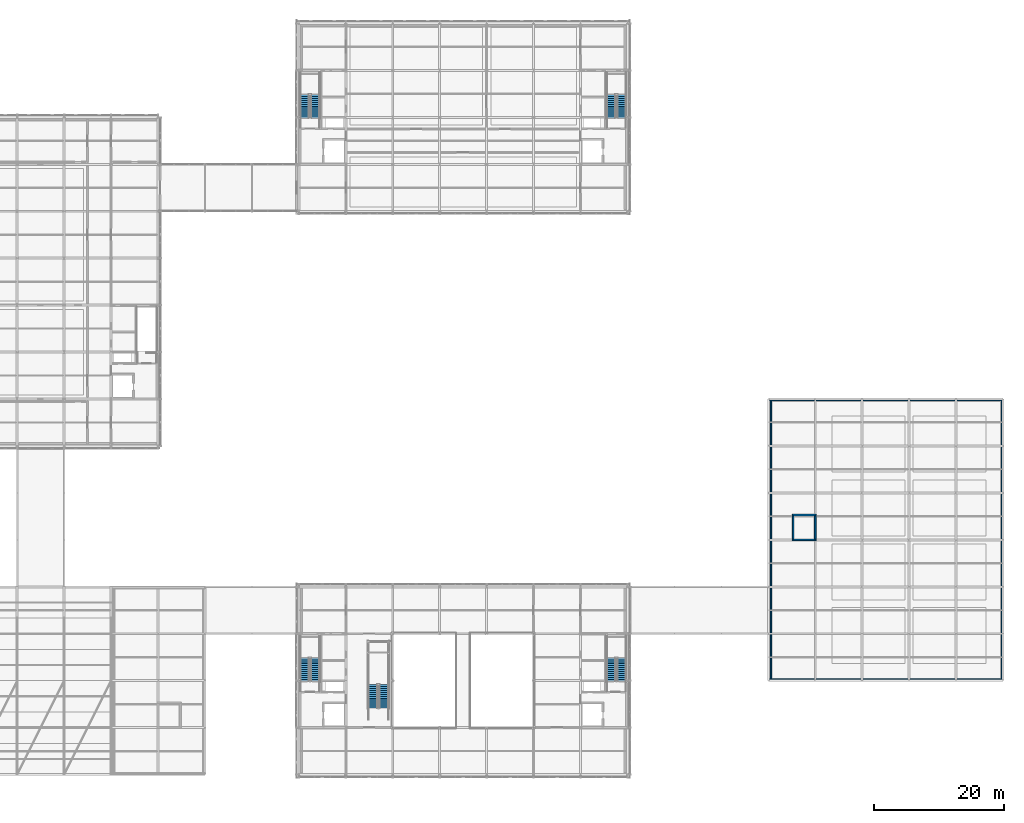
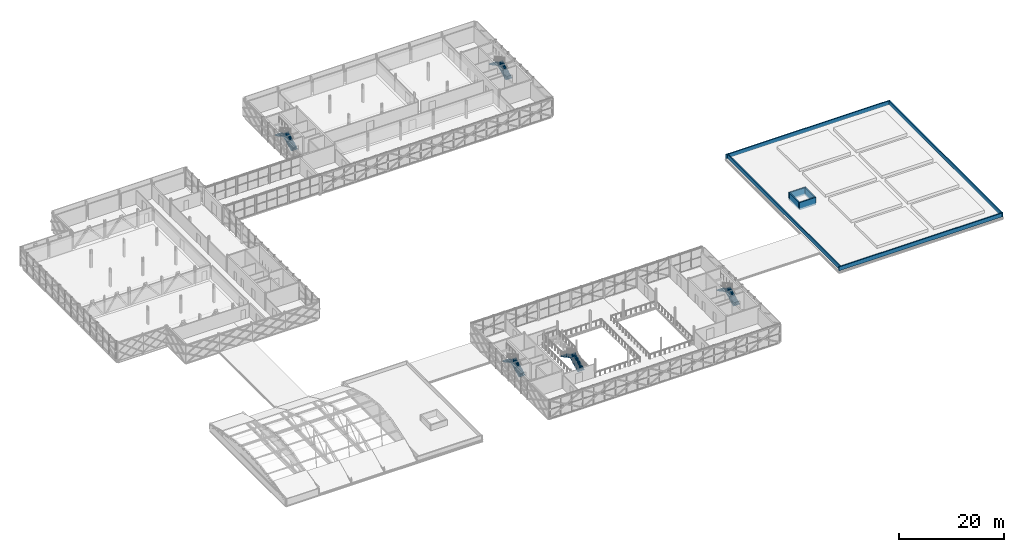
# One storey, part 91 of 103: 10 stair flights, 8 walls, 5 elements without a shape of their own.
"""IFC4 building model written with IfcOpenShell, lengths in metres."""

from ifc_helpers import new_model, si_unit, direction, frame, frame_2d, origin, place, context, subcontext, project, spatial, polyline, rectangle, outline, extrude, material, layer, layer_set, type_object, element, aggregate, save


model = new_model("IFC4")

# Units and contexts
model_context = context("Model", 3, precision=1e-05, world=origin(), true_north=direction((0.0, 1.0)))
body_context = subcontext(model_context, "Body", "Model", "MODEL_VIEW")
ifc_project = project(units=[si_unit("LENGTHUNIT", "METRE"), si_unit("AREAUNIT", "SQUARE_METRE"), si_unit("VOLUMEUNIT", "CUBIC_METRE"), si_unit("PLANEANGLEUNIT", "RADIAN"), si_unit("MASSUNIT", "GRAM", prefix="KILO")], contexts=[model_context])

# Site, building, storey
site_placement = place(None, origin())
site = spatial("IfcSite", under=ifc_project, at=site_placement, CompositionType="ELEMENT")
building_placement = place(site_placement, origin())
building = spatial("IfcBuilding", under=site, at=building_placement, Name="Zlatovets Crest Museum", CompositionType="ELEMENT")
storey_placement = place(building_placement, frame((0.0, 0.0, 12.89990234375)))
storey = spatial("IfcBuildingStorey", under=building, at=storey_placement, Name="L03", CompositionType="ELEMENT", Elevation=12.89990234375)

# Walls
ifc_material_1 = material(Name="Concrete C35/45", Category="concrete")
ifc_layer_1 = layer(ifc_material_1, 0.25)
ifc_layer_set_1 = layer_set([ifc_layer_1], Name="Concrete C35/45")
wall_type_1 = type_object("IfcWallType", Name="CoreWall_SW02", PredefinedType="SHEAR", material=ifc_layer_set_1)
wall_1_placement = place(storey_placement, frame((133.27490234375, 36.0, -0.219970703125), z_axis=(0.0, 0.0, 1.0), x_axis=(1.0, 0.0, 0.0)))
element("IfcWall", 1, at=wall_1_placement, inside=storey, type_object=wall_type_1, Name="Lift GL1 Overrun Wall S", PredefinedType="SHEAR", context=body_context, shape_type="SweptSolid", body=[
    extrude(rectangle(XDim=3.650146484375, YDim=0.25, at=frame_2d((1.8251953125, 0.0))), origin(), (0.0, 0.0, 1.0), 1.719970703125),
])
wall_2_placement = place(storey_placement, frame((136.800048828125, 36.125, -0.219970703125), z_axis=(0.0, 0.0, 1.0), x_axis=(0.0, 1.0, 0.0)))
element("IfcWall", 2, at=wall_2_placement, inside=storey, type_object=wall_type_1, Name="Lift GL1 Overrun Wall E", PredefinedType="SHEAR", context=body_context, shape_type="SweptSolid", body=[
    extrude(rectangle(XDim=3.550048828125, YDim=0.25, at=frame_2d((1.77490234375, 0.0))), origin(), (0.0, 0.0, 1.0), 1.719970703125),
])
wall_3_placement = place(storey_placement, frame((136.925048828125, 39.800048828125, -0.219970703125), z_axis=(0.0, 0.0, 1.0), x_axis=(-1.0, 0.0, 0.0)))
element("IfcWall", 3, at=wall_3_placement, inside=storey, type_object=wall_type_1, Name="Lift GL1 Overrun Wall N", PredefinedType="SHEAR", context=body_context, shape_type="SweptSolid", body=[
    extrude(rectangle(XDim=3.650146484375, YDim=0.25, at=frame_2d((1.8251953125, 0.0))), origin(), (0.0, 0.0, 1.0), 1.719970703125),
])
wall_4_placement = place(storey_placement, frame((133.39990234375, 39.675048828125, -0.219970703125), z_axis=(0.0, 0.0, 1.0), x_axis=(0.0, -1.0, 0.0)))
element("IfcWall", 4, at=wall_4_placement, inside=storey, type_object=wall_type_1, Name="Lift GL1 Overrun Wall W", PredefinedType="SHEAR", context=body_context, shape_type="SweptSolid", body=[
    extrude(rectangle(XDim=3.550048828125, YDim=0.25, at=frame_2d((1.77490234375, 0.0))), origin(), (0.0, 0.0, 1.0), 1.719970703125),
])
ifc_material_2 = material(Name="Concrete C30/37 with bronze coping", Category="concrete")
ifc_layer_2 = layer(ifc_material_2, 0.239990234375)
ifc_layer_set_2 = layer_set([ifc_layer_2], Name="Concrete C30/37 with bronze coping")
wall_type_2 = type_object("IfcWallType", Name="ExtWall_PW-01", PredefinedType="PARAPET", material=ifc_layer_set_2)
wall_5_placement = place(storey_placement, frame((129.60009765625, 14.550048828125, 0.0), z_axis=(0.0, 0.0, 1.0), x_axis=(1.0, 0.0, 0.0)))
element("IfcWall", 5, at=wall_5_placement, inside=storey, type_object=wall_type_2, Name="V5S L03 Roof Parapet Wall PW-01", PredefinedType="PARAPET", context=body_context, shape_type="SweptSolid", body=[
    extrude(rectangle(XDim=36.0, YDim=0.239990234375, at=frame_2d((18.0, 0.0))), origin(), (0.0, 0.0, 1.0), 0.900146484375),
])
wall_6_placement = place(storey_placement, frame((165.449951171875, 14.39990234375, 0.0), z_axis=(0.0, 0.0, 1.0), x_axis=(0.0, 1.0, 0.0)))
element("IfcWall", 6, at=wall_6_placement, inside=storey, type_object=wall_type_2, Name="V5S L03 Roof Parapet Wall PW-01", PredefinedType="PARAPET", context=body_context, shape_type="SweptSolid", body=[
    extrude(rectangle(XDim=43.2001953125, YDim=0.239990234375, at=frame_2d((21.60009765625, 0.0))), origin(), (0.0, 0.0, 1.0), 0.900146484375),
])
wall_7_placement = place(storey_placement, frame((165.60009765625, 57.449951171875, 0.0), z_axis=(0.0, 0.0, 1.0), x_axis=(-1.0, 0.0, 0.0)))
element("IfcWall", 7, at=wall_7_placement, inside=storey, type_object=wall_type_2, Name="V5S L03 Roof Parapet Wall PW-01", PredefinedType="PARAPET", context=body_context, shape_type="SweptSolid", body=[
    extrude(rectangle(XDim=36.0, YDim=0.239990234375, at=frame_2d((18.0, 0.0))), origin(), (0.0, 0.0, 1.0), 0.900146484375),
])
wall_8_placement = place(storey_placement, frame((130.02001953125, 57.300048828125, 0.0), z_axis=(0.0, 0.0, 1.0), x_axis=(0.0, -1.0, 0.0)))
element("IfcWall", 8, at=wall_8_placement, inside=storey, type_object=wall_type_2, Name="V5S L03 Roof Parapet Wall PW-01", PredefinedType="PARAPET", context=body_context, shape_type="SweptSolid", body=[
    extrude(rectangle(XDim=42.60009765625, YDim=0.239990234375, at=frame_2d((21.300048828125, 0.0))), origin(), (0.0, 0.0, 1.0), 0.900146484375),
])

# Stair, stair flights
stair_type_1 = type_object("IfcStairType", Name="Stair_ST1-26R", PredefinedType="HALF_TURN_STAIR", material=ifc_material_1)
stair_1_placement = place(storey_placement, origin())
stair_1 = element("IfcStair", 9, at=stair_1_placement, inside=storey, type_object=stair_type_1, Name="L03 Core C1 Escape Stair ST1", PredefinedType="HALF_TURN_STAIR")
stair_flight_type_1 = type_object("IfcStairFlightType", Name="Flight_ST1F-13R", PredefinedType="STRAIGHT", material=ifc_material_1)
stair_flight_1_placement = place(storey_placement, frame((60.10009765625, 100.699951171875, 0.0), z_axis=(0.0, 0.0, 1.0), x_axis=(0.0, 1.0, 0.0)))
stair_flight_1 = element("IfcStairFlight", 10, at=stair_flight_1_placement, type_object=stair_flight_type_1, Name="ST1 flight 1", NumberOfRisers=13, NumberOfTreads=12, PredefinedType="STRAIGHT", RiserHeight=0.161538462, TreadLength=0.3, context=body_context, shape_type="SweptSolid", body=[
    extrude(outline(polyline([(0.0, 0.0), (0.0, 0.16162109375), (0.300048828125, 0.16162109375), (0.300048828125, 0.322998046875), (0.60009765625, 0.322998046875), (0.60009765625, 0.484619140625), (0.89990234375, 0.484619140625), (0.89990234375, 0.646240234375), (1.199951171875, 0.646240234375), (1.199951171875, 0.8076171875), (1.5, 0.8076171875), (1.5, 0.96923828125), (1.800048828125, 0.96923828125), (1.800048828125, 1.130859375), (2.10009765625, 1.130859375), (2.10009765625, 1.292236328125), (2.39990234375, 1.292236328125), (2.39990234375, 1.453857421875), (2.699951171875, 1.453857421875), (2.699951171875, 1.615478515625), (3.0, 1.615478515625), (3.0, 1.77685546875), (3.300048828125, 1.77685546875), (3.300048828125, 1.9384765625), (3.60009765625, 1.9384765625), (3.60009765625, 2.10009765625), (3.60009765625, 1.768310546875), (0.316162109375, 0.0), (0.0, 0.0)])), frame((0.0, 0.699951171875, 0.0), z_axis=(0.0, -1.0, 0.0), x_axis=(1.0, 0.0, 0.0)), (0.0, 0.0, 1.0), 1.39990234375),
])
stair_flight_2_placement = place(storey_placement, frame((58.5, 104.300048828125, 2.10009765625), z_axis=(0.0, 0.0, 1.0), x_axis=(0.0, -1.0, 0.0)))
stair_flight_2 = element("IfcStairFlight", 11, at=stair_flight_2_placement, type_object=stair_flight_type_1, Name="ST1 flight 2", NumberOfRisers=13, NumberOfTreads=12, PredefinedType="STRAIGHT", RiserHeight=0.161538462, TreadLength=0.3, context=body_context, shape_type="SweptSolid", body=[
    extrude(outline(polyline([(0.0, 0.0), (0.0, 0.16162109375), (0.300048828125, 0.16162109375), (0.300048828125, 0.322998046875), (0.60009765625, 0.322998046875), (0.60009765625, 0.484619140625), (0.89990234375, 0.484619140625), (0.89990234375, 0.646240234375), (1.199951171875, 0.646240234375), (1.199951171875, 0.8076171875), (1.5, 0.8076171875), (1.5, 0.96923828125), (1.800048828125, 0.96923828125), (1.800048828125, 1.130859375), (2.10009765625, 1.130859375), (2.10009765625, 1.292236328125), (2.39990234375, 1.292236328125), (2.39990234375, 1.453857421875), (2.699951171875, 1.453857421875), (2.699951171875, 1.615478515625), (3.0, 1.615478515625), (3.0, 1.77685546875), (3.300048828125, 1.77685546875), (3.300048828125, 1.9384765625), (3.60009765625, 1.9384765625), (3.60009765625, 2.10009765625), (3.60009765625, 1.768310546875), (0.316162109375, 0.0), (0.0, 0.0)])), frame((0.0, 0.699951171875, 0.0), z_axis=(0.0, -1.0, 0.0), x_axis=(1.0, 0.0, 0.0)), (0.0, 0.0, 1.0), 1.39990234375),
])
aggregate(stair_1, [stair_flight_1, stair_flight_2])

stair_type_2 = type_object("IfcStairType", Name="Stair_ST2-26R", PredefinedType="HALF_TURN_STAIR", material=ifc_material_1)
stair_2_placement = place(storey_placement, origin())
stair_2 = element("IfcStair", 12, at=stair_2_placement, inside=storey, type_object=stair_type_2, Name="L03 Core C2 Escape Stair ST2", PredefinedType="HALF_TURN_STAIR")
stair_flight_type_2 = type_object("IfcStairFlightType", Name="Flight_ST2F-13R", PredefinedType="STRAIGHT", material=ifc_material_1)
stair_flight_3_placement = place(storey_placement, frame((60.10009765625, 14.300048828125, 0.0), z_axis=(0.0, 0.0, 1.0), x_axis=(0.0, 1.0, 0.0)))
stair_flight_3 = element("IfcStairFlight", 13, at=stair_flight_3_placement, type_object=stair_flight_type_2, Name="ST2 flight 1", NumberOfRisers=13, NumberOfTreads=12, PredefinedType="STRAIGHT", RiserHeight=0.161538462, TreadLength=0.3, context=body_context, shape_type="SweptSolid", body=[
    extrude(outline(polyline([(0.0, 0.0), (0.0, 0.16162109375), (0.300048828125, 0.16162109375), (0.300048828125, 0.322998046875), (0.60009765625, 0.322998046875), (0.60009765625, 0.484619140625), (0.89990234375, 0.484619140625), (0.89990234375, 0.646240234375), (1.199951171875, 0.646240234375), (1.199951171875, 0.8076171875), (1.5, 0.8076171875), (1.5, 0.96923828125), (1.800048828125, 0.96923828125), (1.800048828125, 1.130859375), (2.10009765625, 1.130859375), (2.10009765625, 1.292236328125), (2.39990234375, 1.292236328125), (2.39990234375, 1.453857421875), (2.699951171875, 1.453857421875), (2.699951171875, 1.615478515625), (3.0, 1.615478515625), (3.0, 1.77685546875), (3.300048828125, 1.77685546875), (3.300048828125, 1.9384765625), (3.60009765625, 1.9384765625), (3.60009765625, 2.10009765625), (3.60009765625, 1.768310546875), (0.316162109375, 0.0), (0.0, 0.0)])), frame((0.0, 0.699951171875, 0.0), z_axis=(0.0, -1.0, 0.0), x_axis=(1.0, 0.0, 0.0)), (0.0, 0.0, 1.0), 1.39990234375),
])
stair_flight_4_placement = place(storey_placement, frame((58.5, 17.89990234375, 2.10009765625), z_axis=(0.0, 0.0, 1.0), x_axis=(0.0, -1.0, 0.0)))
stair_flight_4 = element("IfcStairFlight", 14, at=stair_flight_4_placement, type_object=stair_flight_type_2, Name="ST2 flight 2", NumberOfRisers=13, NumberOfTreads=12, PredefinedType="STRAIGHT", RiserHeight=0.161538462, TreadLength=0.3, context=body_context, shape_type="SweptSolid", body=[
    extrude(outline(polyline([(0.0, 0.0), (0.0, 0.16162109375), (0.300048828125, 0.16162109375), (0.300048828125, 0.322998046875), (0.60009765625, 0.322998046875), (0.60009765625, 0.484619140625), (0.89990234375, 0.484619140625), (0.89990234375, 0.646240234375), (1.199951171875, 0.646240234375), (1.199951171875, 0.8076171875), (1.5, 0.8076171875), (1.5, 0.96923828125), (1.800048828125, 0.96923828125), (1.800048828125, 1.130859375), (2.10009765625, 1.130859375), (2.10009765625, 1.292236328125), (2.39990234375, 1.292236328125), (2.39990234375, 1.453857421875), (2.699951171875, 1.453857421875), (2.699951171875, 1.615478515625), (3.0, 1.615478515625), (3.0, 1.77685546875), (3.300048828125, 1.77685546875), (3.300048828125, 1.9384765625), (3.60009765625, 1.9384765625), (3.60009765625, 2.10009765625), (3.60009765625, 1.768310546875), (0.316162109375, 0.0), (0.0, 0.0)])), frame((0.0, 0.699951171875, 0.0), z_axis=(0.0, -1.0, 0.0), x_axis=(1.0, 0.0, 0.0)), (0.0, 0.0, 1.0), 1.39990234375),
])
aggregate(stair_2, [stair_flight_3, stair_flight_4])

stair_type_3 = type_object("IfcStairType", Name="Stair_ST6-26R", PredefinedType="HALF_TURN_STAIR", material=ifc_material_1)
stair_3_placement = place(storey_placement, origin())
stair_3 = element("IfcStair", 15, at=stair_3_placement, inside=storey, type_object=stair_type_3, Name="L03 Atrium Feature Stair ST6", PredefinedType="HALF_TURN_STAIR")
stair_flight_type_3 = type_object("IfcStairFlightType", Name="Flight_ST6F-13R", PredefinedType="STRAIGHT", material=ifc_material_1)
stair_flight_5_placement = place(storey_placement, frame((70.675048828125, 10.199951171875, 0.0), z_axis=(0.0, 0.0, 1.0), x_axis=(0.0, 1.0, 0.0)))
stair_flight_5 = element("IfcStairFlight", 16, at=stair_flight_5_placement, type_object=stair_flight_type_3, Name="ST6 flight 1", NumberOfRisers=13, NumberOfTreads=12, PredefinedType="STRAIGHT", RiserHeight=0.161538462, TreadLength=0.3, context=body_context, shape_type="SweptSolid", body=[
    extrude(outline(polyline([(0.0, 0.0), (0.0, 0.16162109375), (0.300048828125, 0.16162109375), (0.300048828125, 0.322998046875), (0.60009765625, 0.322998046875), (0.60009765625, 0.484619140625), (0.89990234375, 0.484619140625), (0.89990234375, 0.646240234375), (1.199951171875, 0.646240234375), (1.199951171875, 0.8076171875), (1.5, 0.8076171875), (1.5, 0.96923828125), (1.800048828125, 0.96923828125), (1.800048828125, 1.130859375), (2.10009765625, 1.130859375), (2.10009765625, 1.292236328125), (2.39990234375, 1.292236328125), (2.39990234375, 1.453857421875), (2.699951171875, 1.453857421875), (2.699951171875, 1.615478515625), (3.0, 1.615478515625), (3.0, 1.77685546875), (3.300048828125, 1.77685546875), (3.300048828125, 1.9384765625), (3.60009765625, 1.9384765625), (3.60009765625, 2.10009765625), (3.60009765625, 1.768310546875), (0.316162109375, 0.0), (0.0, 0.0)])), frame((0.0, 0.72509765625, 0.0), z_axis=(0.0, -1.0, 0.0), x_axis=(1.0, 0.0, 0.0)), (0.0, 0.0, 1.0), 1.449951171875),
])
stair_flight_6_placement = place(storey_placement, frame((68.97509765625, 13.800048828125, 2.10009765625), z_axis=(0.0, 0.0, 1.0), x_axis=(0.0, -1.0, 0.0)))
stair_flight_6 = element("IfcStairFlight", 17, at=stair_flight_6_placement, type_object=stair_flight_type_3, Name="ST6 flight 2", NumberOfRisers=13, NumberOfTreads=12, PredefinedType="STRAIGHT", RiserHeight=0.161538462, TreadLength=0.3, context=body_context, shape_type="SweptSolid", body=[
    extrude(outline(polyline([(0.0, 0.0), (0.0, 0.16162109375), (0.300048828125, 0.16162109375), (0.300048828125, 0.322998046875), (0.60009765625, 0.322998046875), (0.60009765625, 0.484619140625), (0.89990234375, 0.484619140625), (0.89990234375, 0.646240234375), (1.199951171875, 0.646240234375), (1.199951171875, 0.8076171875), (1.5, 0.8076171875), (1.5, 0.96923828125), (1.800048828125, 0.96923828125), (1.800048828125, 1.130859375), (2.10009765625, 1.130859375), (2.10009765625, 1.292236328125), (2.39990234375, 1.292236328125), (2.39990234375, 1.453857421875), (2.699951171875, 1.453857421875), (2.699951171875, 1.615478515625), (3.0, 1.615478515625), (3.0, 1.77685546875), (3.300048828125, 1.77685546875), (3.300048828125, 1.9384765625), (3.60009765625, 1.9384765625), (3.60009765625, 2.10009765625), (3.60009765625, 1.768310546875), (0.316162109375, 0.0), (0.0, 0.0)])), frame((0.0, 0.72509765625, 0.0), z_axis=(0.0, -1.0, 0.0), x_axis=(1.0, 0.0, 0.0)), (0.0, 0.0, 1.0), 1.449951171875),
])
aggregate(stair_3, [stair_flight_5, stair_flight_6])

stair_type_4 = type_object("IfcStairType", Name="Stair_ST7-26R", PredefinedType="HALF_TURN_STAIR", material=ifc_material_1)
stair_4_placement = place(storey_placement, origin())
stair_4 = element("IfcStair", 18, at=stair_4_placement, inside=storey, type_object=stair_type_4, Name="L03 Core C6 Escape Stair ST7", PredefinedType="HALF_TURN_STAIR")
stair_flight_type_4 = type_object("IfcStairFlightType", Name="Flight_ST7F-13R", PredefinedType="STRAIGHT", material=ifc_material_1)
stair_flight_7_placement = place(storey_placement, frame((107.10009765625, 100.699951171875, 0.0), z_axis=(0.0, 0.0, 1.0), x_axis=(0.0, 1.0, 0.0)))
stair_flight_7 = element("IfcStairFlight", 19, at=stair_flight_7_placement, type_object=stair_flight_type_4, Name="ST7 flight 1", NumberOfRisers=13, NumberOfTreads=12, PredefinedType="STRAIGHT", RiserHeight=0.161538462, TreadLength=0.3, context=body_context, shape_type="SweptSolid", body=[
    extrude(outline(polyline([(0.0, 0.0), (0.0, 0.16162109375), (0.300048828125, 0.16162109375), (0.300048828125, 0.322998046875), (0.60009765625, 0.322998046875), (0.60009765625, 0.484619140625), (0.89990234375, 0.484619140625), (0.89990234375, 0.646240234375), (1.199951171875, 0.646240234375), (1.199951171875, 0.8076171875), (1.5, 0.8076171875), (1.5, 0.96923828125), (1.800048828125, 0.96923828125), (1.800048828125, 1.130859375), (2.10009765625, 1.130859375), (2.10009765625, 1.292236328125), (2.39990234375, 1.292236328125), (2.39990234375, 1.453857421875), (2.699951171875, 1.453857421875), (2.699951171875, 1.615478515625), (3.0, 1.615478515625), (3.0, 1.77685546875), (3.300048828125, 1.77685546875), (3.300048828125, 1.9384765625), (3.60009765625, 1.9384765625), (3.60009765625, 2.10009765625), (3.60009765625, 1.768310546875), (0.316162109375, 0.0), (0.0, 0.0)])), frame((0.0, 0.699951171875, 0.0), z_axis=(0.0, -1.0, 0.0), x_axis=(1.0, 0.0, 0.0)), (0.0, 0.0, 1.0), 1.39990234375),
])
stair_flight_8_placement = place(storey_placement, frame((105.5, 104.300048828125, 2.10009765625), z_axis=(0.0, 0.0, 1.0), x_axis=(0.0, -1.0, 0.0)))
stair_flight_8 = element("IfcStairFlight", 20, at=stair_flight_8_placement, type_object=stair_flight_type_4, Name="ST7 flight 2", NumberOfRisers=13, NumberOfTreads=12, PredefinedType="STRAIGHT", RiserHeight=0.161538462, TreadLength=0.3, context=body_context, shape_type="SweptSolid", body=[
    extrude(outline(polyline([(0.0, 0.0), (0.0, 0.16162109375), (0.300048828125, 0.16162109375), (0.300048828125, 0.322998046875), (0.60009765625, 0.322998046875), (0.60009765625, 0.484619140625), (0.89990234375, 0.484619140625), (0.89990234375, 0.646240234375), (1.199951171875, 0.646240234375), (1.199951171875, 0.8076171875), (1.5, 0.8076171875), (1.5, 0.96923828125), (1.800048828125, 0.96923828125), (1.800048828125, 1.130859375), (2.10009765625, 1.130859375), (2.10009765625, 1.292236328125), (2.39990234375, 1.292236328125), (2.39990234375, 1.453857421875), (2.699951171875, 1.453857421875), (2.699951171875, 1.615478515625), (3.0, 1.615478515625), (3.0, 1.77685546875), (3.300048828125, 1.77685546875), (3.300048828125, 1.9384765625), (3.60009765625, 1.9384765625), (3.60009765625, 2.10009765625), (3.60009765625, 1.768310546875), (0.316162109375, 0.0), (0.0, 0.0)])), frame((0.0, 0.699951171875, 0.0), z_axis=(0.0, -1.0, 0.0), x_axis=(1.0, 0.0, 0.0)), (0.0, 0.0, 1.0), 1.39990234375),
])
aggregate(stair_4, [stair_flight_7, stair_flight_8])

stair_type_5 = type_object("IfcStairType", Name="Stair_ST9-26R", PredefinedType="HALF_TURN_STAIR", material=ifc_material_1)
stair_5_placement = place(storey_placement, origin())
stair_5 = element("IfcStair", 21, at=stair_5_placement, inside=storey, type_object=stair_type_5, Name="L03 Core C8 Escape Stair ST9", PredefinedType="HALF_TURN_STAIR")
stair_flight_type_5 = type_object("IfcStairFlightType", Name="Flight_ST9F-13R", PredefinedType="STRAIGHT", material=ifc_material_1)
stair_flight_9_placement = place(storey_placement, frame((107.10009765625, 14.300048828125, 0.0), z_axis=(0.0, 0.0, 1.0), x_axis=(0.0, 1.0, 0.0)))
stair_flight_9 = element("IfcStairFlight", 22, at=stair_flight_9_placement, type_object=stair_flight_type_5, Name="ST9 flight 1", NumberOfRisers=13, NumberOfTreads=12, PredefinedType="STRAIGHT", RiserHeight=0.161538462, TreadLength=0.3, context=body_context, shape_type="SweptSolid", body=[
    extrude(outline(polyline([(0.0, 0.0), (0.0, 0.16162109375), (0.300048828125, 0.16162109375), (0.300048828125, 0.322998046875), (0.60009765625, 0.322998046875), (0.60009765625, 0.484619140625), (0.89990234375, 0.484619140625), (0.89990234375, 0.646240234375), (1.199951171875, 0.646240234375), (1.199951171875, 0.8076171875), (1.5, 0.8076171875), (1.5, 0.96923828125), (1.800048828125, 0.96923828125), (1.800048828125, 1.130859375), (2.10009765625, 1.130859375), (2.10009765625, 1.292236328125), (2.39990234375, 1.292236328125), (2.39990234375, 1.453857421875), (2.699951171875, 1.453857421875), (2.699951171875, 1.615478515625), (3.0, 1.615478515625), (3.0, 1.77685546875), (3.300048828125, 1.77685546875), (3.300048828125, 1.9384765625), (3.60009765625, 1.9384765625), (3.60009765625, 2.10009765625), (3.60009765625, 1.768310546875), (0.316162109375, 0.0), (0.0, 0.0)])), frame((0.0, 0.699951171875, 0.0), z_axis=(0.0, -1.0, 0.0), x_axis=(1.0, 0.0, 0.0)), (0.0, 0.0, 1.0), 1.39990234375),
])
stair_flight_10_placement = place(storey_placement, frame((105.5, 17.89990234375, 2.10009765625), z_axis=(0.0, 0.0, 1.0), x_axis=(0.0, -1.0, 0.0)))
stair_flight_10 = element("IfcStairFlight", 23, at=stair_flight_10_placement, type_object=stair_flight_type_5, Name="ST9 flight 2", NumberOfRisers=13, NumberOfTreads=12, PredefinedType="STRAIGHT", RiserHeight=0.161538462, TreadLength=0.3, context=body_context, shape_type="SweptSolid", body=[
    extrude(outline(polyline([(0.0, 0.0), (0.0, 0.16162109375), (0.300048828125, 0.16162109375), (0.300048828125, 0.322998046875), (0.60009765625, 0.322998046875), (0.60009765625, 0.484619140625), (0.89990234375, 0.484619140625), (0.89990234375, 0.646240234375), (1.199951171875, 0.646240234375), (1.199951171875, 0.8076171875), (1.5, 0.8076171875), (1.5, 0.96923828125), (1.800048828125, 0.96923828125), (1.800048828125, 1.130859375), (2.10009765625, 1.130859375), (2.10009765625, 1.292236328125), (2.39990234375, 1.292236328125), (2.39990234375, 1.453857421875), (2.699951171875, 1.453857421875), (2.699951171875, 1.615478515625), (3.0, 1.615478515625), (3.0, 1.77685546875), (3.300048828125, 1.77685546875), (3.300048828125, 1.9384765625), (3.60009765625, 1.9384765625), (3.60009765625, 2.10009765625), (3.60009765625, 1.768310546875), (0.316162109375, 0.0), (0.0, 0.0)])), frame((0.0, 0.699951171875, 0.0), z_axis=(0.0, -1.0, 0.0), x_axis=(1.0, 0.0, 0.0)), (0.0, 0.0, 1.0), 1.39990234375),
])
aggregate(stair_5, [stair_flight_9, stair_flight_10])

save(model, "model.ifc")
